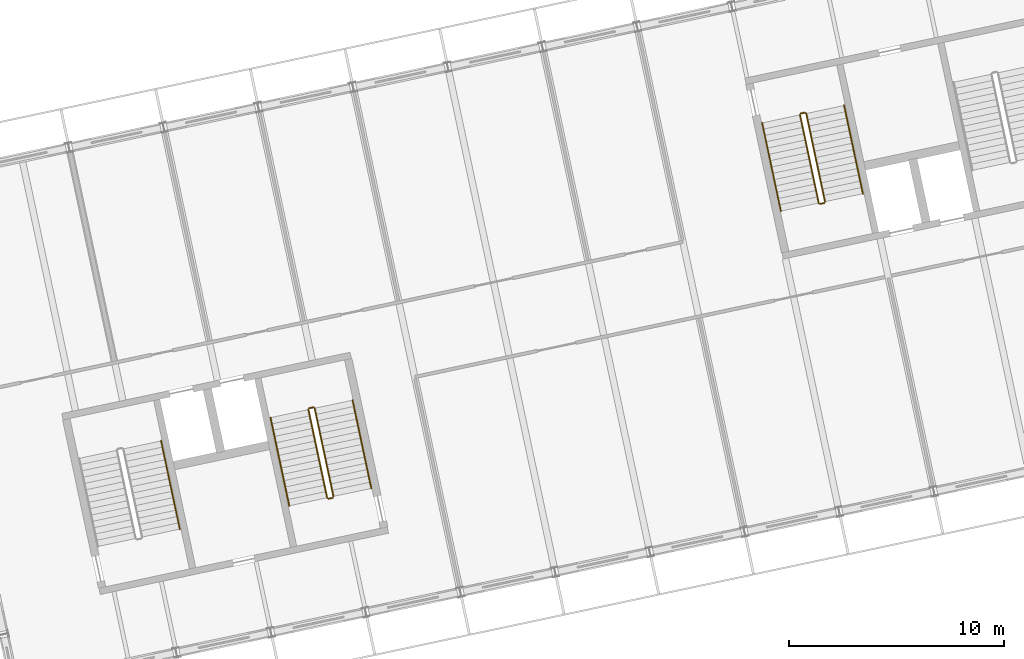
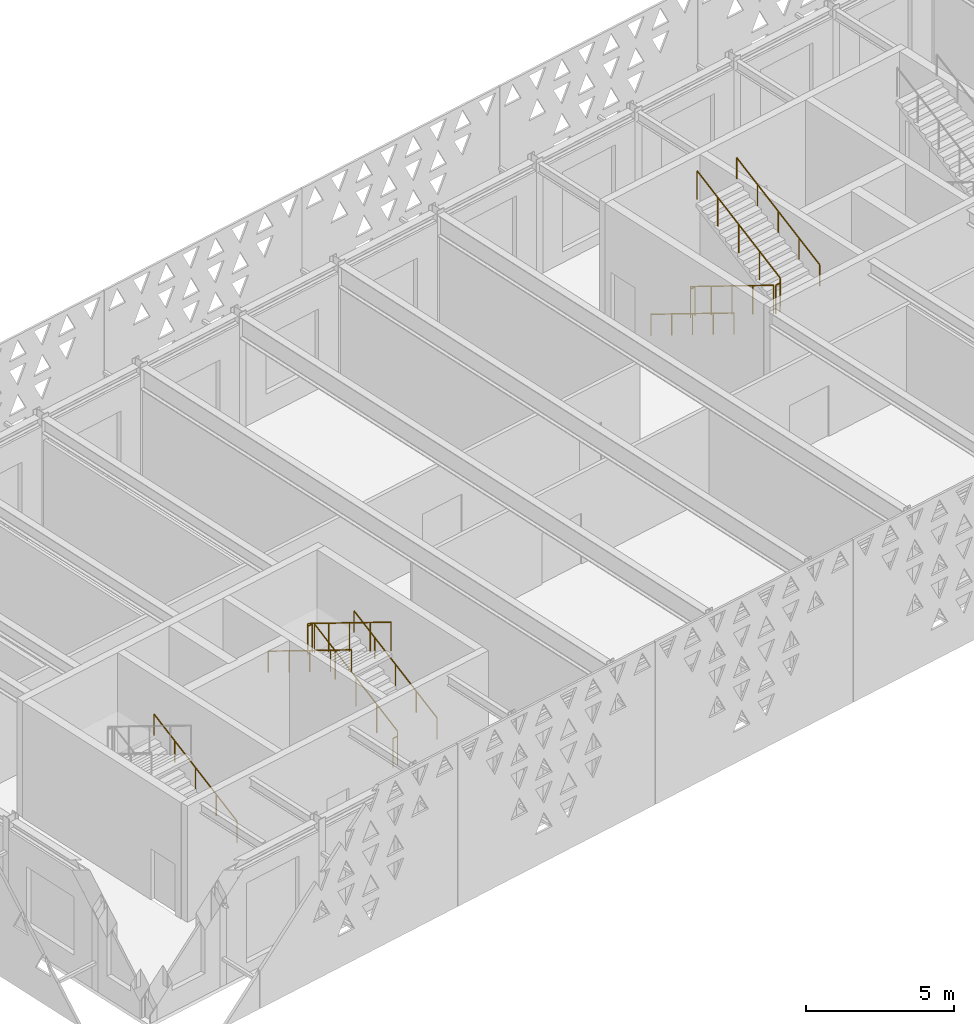
# One storey, part 170 of 182: 13 railings.
"""IFC4 building model written with IfcOpenShell, lengths in metres."""

from ifc_helpers import new_model, si_unit, direction, frame, origin, origin_2d, place, context, subcontext, project, spatial, circle, extrude, material, type_object, element, save


model = new_model("IFC4")

# Units and contexts
model_context = context("Model", 3, precision=1e-05, world=origin(), true_north=direction((0.0, 1.0)))
body_context = subcontext(model_context, "Body", "Model", "MODEL_VIEW")
ifc_project = project(units=[si_unit("LENGTHUNIT", "METRE"), si_unit("AREAUNIT", "SQUARE_METRE"), si_unit("VOLUMEUNIT", "CUBIC_METRE"), si_unit("PLANEANGLEUNIT", "RADIAN"), si_unit("MASSUNIT", "GRAM", prefix="KILO")], contexts=[model_context])

# Site, building, storey
site_placement = place(None, origin())
site = spatial("IfcSite", under=ifc_project, at=site_placement, CompositionType="ELEMENT")
building_placement = place(site_placement, origin())
building = spatial("IfcBuilding", under=site, at=building_placement, Name="Okhra Congress Centre", CompositionType="ELEMENT")
storey_placement = place(building_placement, frame((0.0, 0.0, 7.199951171875)))
storey = spatial("IfcBuildingStorey", under=building, at=storey_placement, Name="L01", CompositionType="ELEMENT", Elevation=7.199951171875)

# Railings
ifc_material_1 = material(Name="Painted steel tube handrail on wall brackets", Category="steel")
railing_type_1 = type_object("IfcRailingType", Name="Steel handrail 900", PredefinedType="HANDRAIL", material=ifc_material_1)
for number, where, name in (
    (1, (69.975830078125, 34.414306640625, 0.16015625), "L01 BS1A stair handrail 1"),
    (2, (78.876953125, 36.306396484375, 0.16015625), "L01 BS1B stair handrail 1"),
):
    element("IfcRailing", number, at=place(storey_placement, frame(where)), inside=storey, type_object=railing_type_1, Name=name, PredefinedType="HANDRAIL", context=body_context, shape_type="SweptSolid", body=[
        extrude(circle(Radius=0.02392578125, at=origin_2d()), frame((0.0, 0.0, 0.8759765625), z_axis=(-0.183466421502, 0.863066668889, 0.4705911147), x_axis=(-0.978143927149, -0.207928972925, 0.0)), (0.0, 0.0, 1.0), 4.760009765625),
        extrude(circle(Radius=0.02099609375, at=origin_2d()), origin(), (0.0, 0.0, 1.0), 0.851806640625),
        extrude(circle(Radius=0.02099609375, at=origin_2d()), frame((-0.21826171875, 1.027099609375, 0.56005859375)), (0.0, 0.0, 1.0), 0.851806640625),
        extrude(circle(Radius=0.02099609375, at=origin_2d()), frame((-0.4365234375, 2.05419921875, 1.1201171875)), (0.0, 0.0, 1.0), 0.851806640625),
        extrude(circle(Radius=0.02099609375, at=origin_2d()), frame((-0.655029296875, 3.0810546875, 1.679931640625)), (0.0, 0.0, 1.0), 0.851806640625),
        extrude(circle(Radius=0.02099609375, at=origin_2d()), frame((-0.873291015625, 4.108154296875, 2.239990234375)), (0.0, 0.0, 1.0), 0.851806640625),
    ])
railing_1_placement = place(storey_placement, frame((74.18896484375, 39.603759765625, 2.56005859375)))
element("IfcRailing", 3, at=railing_1_placement, inside=storey, type_object=railing_type_1, Name="L01 BS1B stair handrail 2", PredefinedType="HANDRAIL", context=body_context, shape_type="SweptSolid", body=[
    extrude(circle(Radius=0.02392578125, at=origin_2d()), frame((0.0, 0.0, 0.8759765625), z_axis=(0.183408737451, -0.863087872992, 0.470574710881), x_axis=(0.97815826, 0.207861536591, 0.0)), (0.0, 0.0, 1.0), 4.760009765625),
    extrude(circle(Radius=0.02099609375, at=origin_2d()), origin(), (0.0, 0.0, 1.0), 0.851806640625),
    extrude(circle(Radius=0.02099609375, at=origin_2d()), frame((0.21826171875, -1.027099609375, 0.56005859375)), (0.0, 0.0, 1.0), 0.851806640625),
    extrude(circle(Radius=0.02099609375, at=origin_2d()), frame((0.4365234375, -2.05419921875, 1.1201171875)), (0.0, 0.0, 1.0), 0.851806640625),
    extrude(circle(Radius=0.02099609375, at=origin_2d()), frame((0.65478515625, -3.081298828125, 1.679931640625)), (0.0, 0.0, 1.0), 0.851806640625),
    extrude(circle(Radius=0.02099609375, at=origin_2d()), frame((0.873046875, -4.1083984375, 2.239990234375)), (0.0, 0.0, 1.0), 0.851806640625),
])
railing_2_placement = place(storey_placement, frame((97.039794921875, 53.303955078125, 0.16015625)))
element("IfcRailing", 4, at=railing_2_placement, inside=storey, type_object=railing_type_1, Name="L01 BS2A stair handrail 1", PredefinedType="HANDRAIL", context=body_context, shape_type="SweptSolid", body=[
    extrude(circle(Radius=0.02392578125, at=origin_2d()), frame((0.0, 0.0, 0.8759765625), z_axis=(0.183416856655, -0.863074789412, 0.470595542453), x_axis=(0.978155748334, 0.207873355681, 0.0)), (0.0, 0.0, 1.0), 4.760009765625),
    extrude(circle(Radius=0.02099609375, at=origin_2d()), origin(), (0.0, 0.0, 1.0), 0.851806640625),
    extrude(circle(Radius=0.02099609375, at=origin_2d()), frame((0.21826171875, -1.027099609375, 0.56005859375)), (0.0, 0.0, 1.0), 0.851806640625),
    extrude(circle(Radius=0.02099609375, at=origin_2d()), frame((0.4365234375, -2.05419921875, 1.1201171875)), (0.0, 0.0, 1.0), 0.851806640625),
    extrude(circle(Radius=0.02099609375, at=origin_2d()), frame((0.65478515625, -3.0810546875, 1.679931640625)), (0.0, 0.0, 1.0), 0.851806640625),
    extrude(circle(Radius=0.02099609375, at=origin_2d()), frame((0.873046875, -4.108154296875, 2.239990234375)), (0.0, 0.0, 1.0), 0.851806640625),
])
railing_3_placement = place(storey_placement, frame((101.727783203125, 50.006591796875, 2.56005859375)))
element("IfcRailing", 5, at=railing_3_placement, inside=storey, type_object=railing_type_1, Name="L01 BS2A stair handrail 2", PredefinedType="HANDRAIL", context=body_context, shape_type="SweptSolid", body=[
    extrude(circle(Radius=0.02392578125, at=origin_2d()), frame((0.0, 0.0, 0.8759765625), z_axis=(-0.183466421502, 0.863066668889, 0.4705911147), x_axis=(-0.978143927149, -0.207928972925, 0.0)), (0.0, 0.0, 1.0), 4.760009765625),
    extrude(circle(Radius=0.02099609375, at=origin_2d()), origin(), (0.0, 0.0, 1.0), 0.851806640625),
    extrude(circle(Radius=0.02099609375, at=origin_2d()), frame((-0.21826171875, 1.027099609375, 0.56005859375)), (0.0, 0.0, 1.0), 0.851806640625),
    extrude(circle(Radius=0.02099609375, at=origin_2d()), frame((-0.4365234375, 2.05419921875, 1.1201171875)), (0.0, 0.0, 1.0), 0.851806640625),
    extrude(circle(Radius=0.02099609375, at=origin_2d()), frame((-0.655029296875, 3.0810546875, 1.679931640625)), (0.0, 0.0, 1.0), 0.851806640625),
    extrude(circle(Radius=0.02099609375, at=origin_2d()), frame((-0.873291015625, 4.108154296875, 2.239990234375)), (0.0, 0.0, 1.0), 0.851806640625),
])
ifc_material_2 = material(Name="Painted steel tube guard with vertical steel balusters", Category="steel")
railing_type_2 = type_object("IfcRailingType", Name="Steel stair guard 1200", PredefinedType="GUARDRAIL", material=ifc_material_2)
railing_4_placement = place(storey_placement, frame((77.1162109375, 35.93212890625, 0.16015625)))
element("IfcRailing", 6, at=railing_4_placement, inside=storey, type_object=railing_type_2, Name="L01 BS1B stair guard 1", PredefinedType="GUARDRAIL", context=body_context, shape_type="SweptSolid", body=[
    extrude(circle(Radius=0.02392578125, at=origin_2d()), frame((0.0, 0.0, 1.17578125), z_axis=(-0.183466421502, 0.863066668889, 0.4705911147), x_axis=(-0.978143927149, -0.207928972925, 0.0)), (0.0, 0.0, 1.0), 4.760009765625),
    extrude(circle(Radius=0.02099609375, at=origin_2d()), origin(), (0.0, 0.0, 1.0), 1.15185546875),
    extrude(circle(Radius=0.02099609375, at=origin_2d()), frame((-0.21826171875, 1.027099609375, 0.56005859375)), (0.0, 0.0, 1.0), 1.15185546875),
    extrude(circle(Radius=0.02099609375, at=origin_2d()), frame((-0.4365234375, 2.05419921875, 1.1201171875)), (0.0, 0.0, 1.0), 1.15185546875),
    extrude(circle(Radius=0.02099609375, at=origin_2d()), frame((-0.655029296875, 3.0810546875, 1.679931640625)), (0.0, 0.0, 1.0), 1.15185546875),
    extrude(circle(Radius=0.02099609375, at=origin_2d()), frame((-0.873291015625, 4.108154296875, 2.239990234375)), (0.0, 0.0, 1.0), 1.15185546875),
])
railing_5_placement = place(storey_placement, frame((76.18359375, 40.078857421875, 2.400146484375)))
element("IfcRailing", 7, at=railing_5_placement, inside=storey, type_object=railing_type_2, Name="L01 BS1B stair guard 2", PredefinedType="GUARDRAIL", context=body_context, shape_type="SweptSolid", body=[
    extrude(circle(Radius=0.02392578125, at=origin_2d()), frame((0.0, 0.0, 1.17578125), z_axis=(-0.977962931203, -0.208778603291, 0.0), x_axis=(0.208778603291, -0.977962931203, 0.0)), (0.0, 0.0, 1.0), 0.199951171875),
    extrude(circle(Radius=0.02099609375, at=origin_2d()), origin(), (0.0, 0.0, 1.0), 1.15185546875),
    extrude(circle(Radius=0.02099609375, at=origin_2d()), frame((-0.195556640625, -0.041748046875, 0.0)), (0.0, 0.0, 1.0), 1.15185546875),
])
railing_6_placement = place(storey_placement, frame((75.949462890625, 39.977783203125, 2.56005859375)))
element("IfcRailing", 8, at=railing_6_placement, inside=storey, type_object=railing_type_2, Name="L01 BS1B stair guard 3", PredefinedType="GUARDRAIL", context=body_context, shape_type="SweptSolid", body=[
    extrude(circle(Radius=0.02392578125, at=origin_2d()), frame((0.0, 0.0, 1.17578125), z_axis=(0.183466421502, -0.863066668889, 0.4705911147), x_axis=(0.978143927149, 0.207928972925, 0.0)), (0.0, 0.0, 1.0), 4.760009765625),
    extrude(circle(Radius=0.02099609375, at=origin_2d()), origin(), (0.0, 0.0, 1.0), 1.15185546875),
    extrude(circle(Radius=0.02099609375, at=origin_2d()), frame((0.21826171875, -1.027099609375, 0.56005859375)), (0.0, 0.0, 1.0), 1.15185546875),
    extrude(circle(Radius=0.02099609375, at=origin_2d()), frame((0.4365234375, -2.05419921875, 1.1201171875)), (0.0, 0.0, 1.0), 1.15185546875),
    extrude(circle(Radius=0.02099609375, at=origin_2d()), frame((0.655029296875, -3.0810546875, 1.679931640625)), (0.0, 0.0, 1.0), 1.15185546875),
    extrude(circle(Radius=0.02099609375, at=origin_2d()), frame((0.873291015625, -4.108154296875, 2.239990234375)), (0.0, 0.0, 1.0), 1.15185546875),
])
railing_7_placement = place(storey_placement, frame((77.07763671875, 35.872802734375, 0.0)))
element("IfcRailing", 9, at=railing_7_placement, inside=storey, type_object=railing_type_2, Name="L01 BS1B stair guard 4", PredefinedType="GUARDRAIL", context=body_context, shape_type="SweptSolid", body=[
    extrude(circle(Radius=0.02392578125, at=origin_2d()), frame((0.0, 0.0, 1.17578125), z_axis=(-0.977962931203, -0.208778603291, 0.0), x_axis=(0.208778603291, -0.977962931203, 0.0)), (0.0, 0.0, 1.0), 0.199951171875),
    extrude(circle(Radius=0.02099609375, at=origin_2d()), origin(), (0.0, 0.0, 1.0), 1.15185546875),
    extrude(circle(Radius=0.02099609375, at=origin_2d()), frame((-0.195556640625, -0.041748046875, 0.0)), (0.0, 0.0, 1.0), 1.15185546875),
])
railing_8_placement = place(storey_placement, frame((98.80029296875, 53.67822265625, 0.16015625)))
element("IfcRailing", 10, at=railing_8_placement, inside=storey, type_object=railing_type_2, Name="L01 BS2A stair guard 1", PredefinedType="GUARDRAIL", context=body_context, shape_type="SweptSolid", body=[
    extrude(circle(Radius=0.02392578125, at=origin_2d()), frame((0.0, 0.0, 1.17578125), z_axis=(0.183466421502, -0.863066668889, 0.4705911147), x_axis=(0.978143927149, 0.207928972925, 0.0)), (0.0, 0.0, 1.0), 4.760009765625),
    extrude(circle(Radius=0.02099609375, at=origin_2d()), origin(), (0.0, 0.0, 1.0), 1.15185546875),
    extrude(circle(Radius=0.02099609375, at=origin_2d()), frame((0.21826171875, -1.027099609375, 0.56005859375)), (0.0, 0.0, 1.0), 1.15185546875),
    extrude(circle(Radius=0.02099609375, at=origin_2d()), frame((0.4365234375, -2.05419921875, 1.1201171875)), (0.0, 0.0, 1.0), 1.15185546875),
    extrude(circle(Radius=0.02099609375, at=origin_2d()), frame((0.655029296875, -3.0810546875, 1.679931640625)), (0.0, 0.0, 1.0), 1.15185546875),
    extrude(circle(Radius=0.02099609375, at=origin_2d()), frame((0.873291015625, -4.108154296875, 2.239990234375)), (0.0, 0.0, 1.0), 1.15185546875),
])
railing_9_placement = place(storey_placement, frame((99.73291015625, 49.531494140625, 2.400146484375)))
element("IfcRailing", 11, at=railing_9_placement, inside=storey, type_object=railing_type_2, Name="L01 BS2A stair guard 2", PredefinedType="GUARDRAIL", context=body_context, shape_type="SweptSolid", body=[
    extrude(circle(Radius=0.02392578125, at=origin_2d()), frame((0.0, 0.0, 1.17578125), z_axis=(0.978211583308, 0.207610448392, 0.0), x_axis=(-0.207610448392, 0.978211583308, 0.0)), (0.0, 0.0, 1.0), 0.199951171875),
    extrude(circle(Radius=0.02099609375, at=origin_2d()), origin(), (0.0, 0.0, 1.0), 1.15185546875),
    extrude(circle(Radius=0.02099609375, at=origin_2d()), frame((0.195556640625, 0.04150390625, 0.0)), (0.0, 0.0, 1.0), 1.15185546875),
])
railing_10_placement = place(storey_placement, frame((99.967041015625, 49.63232421875, 2.56005859375)))
element("IfcRailing", 12, at=railing_10_placement, inside=storey, type_object=railing_type_2, Name="L01 BS2A stair guard 3", PredefinedType="GUARDRAIL", context=body_context, shape_type="SweptSolid", body=[
    extrude(circle(Radius=0.02392578125, at=origin_2d()), frame((0.0, 0.0, 1.17578125), z_axis=(-0.183458300256, 0.863079753065, 0.470570283716), x_axis=(-0.978146440129, -0.207917150959, 0.0)), (0.0, 0.0, 1.0), 4.76025390625),
    extrude(circle(Radius=0.02099609375, at=origin_2d()), origin(), (0.0, 0.0, 1.0), 1.15185546875),
    extrude(circle(Radius=0.02099609375, at=origin_2d()), frame((-0.21826171875, 1.027099609375, 0.56005859375)), (0.0, 0.0, 1.0), 1.15185546875),
    extrude(circle(Radius=0.02099609375, at=origin_2d()), frame((-0.4365234375, 2.05419921875, 1.1201171875)), (0.0, 0.0, 1.0), 1.15185546875),
    extrude(circle(Radius=0.02099609375, at=origin_2d()), frame((-0.655029296875, 3.081298828125, 1.679931640625)), (0.0, 0.0, 1.0), 1.15185546875),
    extrude(circle(Radius=0.02099609375, at=origin_2d()), frame((-0.873291015625, 4.1083984375, 2.239990234375)), (0.0, 0.0, 1.0), 1.15185546875),
])
railing_11_placement = place(storey_placement, frame((98.8388671875, 53.737548828125, 0.0)))
element("IfcRailing", 13, at=railing_11_placement, inside=storey, type_object=railing_type_2, Name="L01 BS2A stair guard 4", PredefinedType="GUARDRAIL", context=body_context, shape_type="SweptSolid", body=[
    extrude(circle(Radius=0.02392578125, at=origin_2d()), frame((0.0, 0.0, 1.17578125), z_axis=(0.978211583308, 0.207610448392, 0.0), x_axis=(-0.207610448392, 0.978211583308, 0.0)), (0.0, 0.0, 1.0), 0.199951171875),
    extrude(circle(Radius=0.02099609375, at=origin_2d()), origin(), (0.0, 0.0, 1.0), 1.15185546875),
    extrude(circle(Radius=0.02099609375, at=origin_2d()), frame((0.195556640625, 0.04150390625, 0.0)), (0.0, 0.0, 1.0), 1.15185546875),
])

save(model, "model.ifc")
